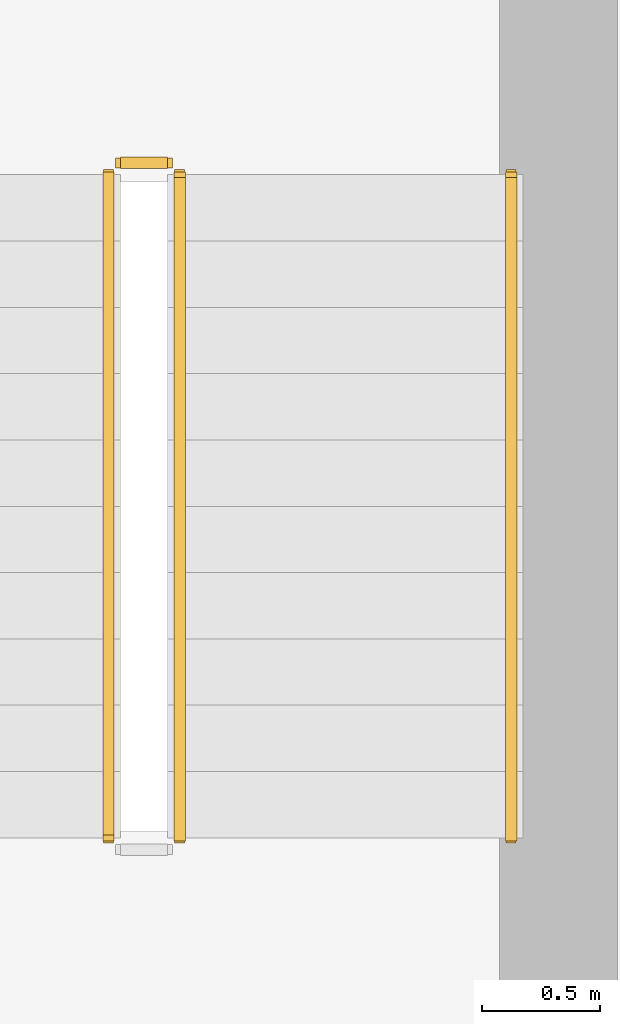
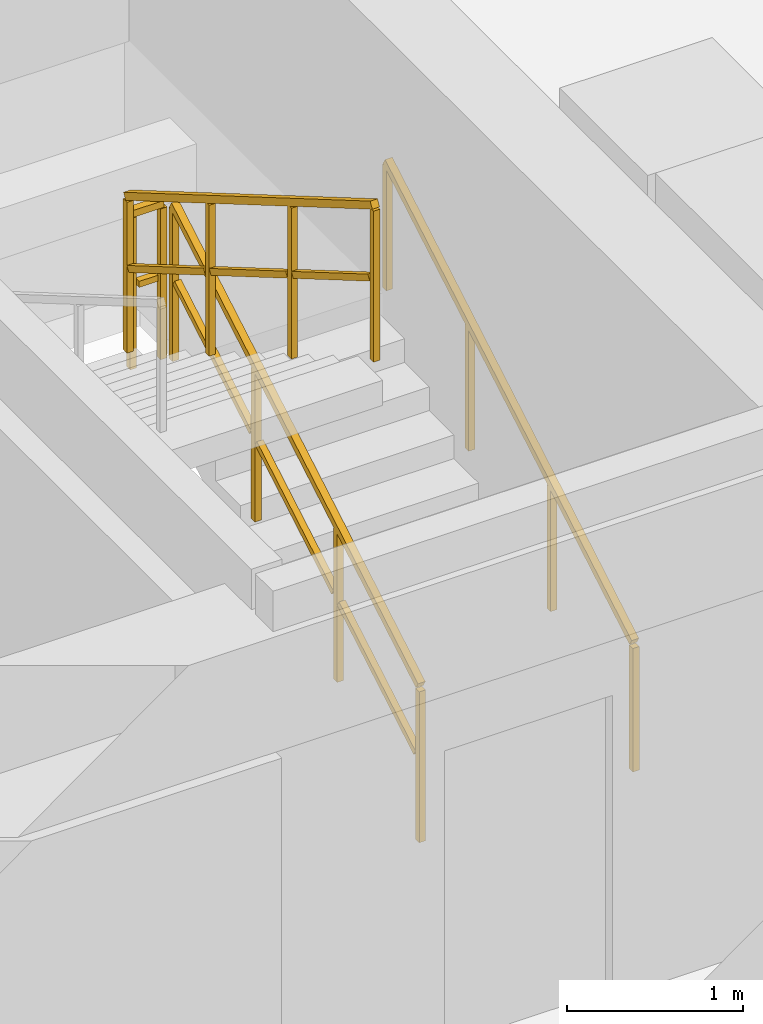
# One storey, part 35 of 35: 4 railings.
"""IFC4 building model written with IfcOpenShell, lengths in metres."""

from ifc_helpers import new_model, si_unit, direction, frame, origin, origin_2d, place, context, subcontext, project, spatial, rectangle, extrude, material, type_object, element, save


model = new_model("IFC4")

# Units and contexts
model_context = context("Model", 3, precision=1e-05, world=origin(), true_north=direction((0.0, 1.0)))
body_context = subcontext(model_context, "Body", "Model", "MODEL_VIEW")
ifc_project = project(units=[si_unit("LENGTHUNIT", "METRE"), si_unit("AREAUNIT", "SQUARE_METRE"), si_unit("VOLUMEUNIT", "CUBIC_METRE"), si_unit("PLANEANGLEUNIT", "RADIAN"), si_unit("MASSUNIT", "GRAM", prefix="KILO")], contexts=[model_context])

# Site, building, storey
site_placement = place(None, origin())
site = spatial("IfcSite", under=ifc_project, at=site_placement, CompositionType="ELEMENT")
building_placement = place(site_placement, origin())
building = spatial("IfcBuilding", under=site, at=building_placement, Name="Thornwick Lancets Civic Towers", CompositionType="ELEMENT")
storey_placement = place(building_placement, frame((0.0, 0.0, 225.89990234375)))
storey = spatial("IfcBuildingStorey", under=building, at=storey_placement, Name="L60", CompositionType="ELEMENT", Elevation=225.89990234375)

# Railings
ifc_material_1 = material(Name="Brushed stainless steel S355", Category="steel")
railing_type_1 = type_object("IfcRailingType", Name="RAIL_HANDRAIL", PredefinedType="HANDRAIL", material=ifc_material_1)
railing_1_placement = place(storey_placement, frame((100.449951171875, 20.89990234375, 0.163818359375)))
element("IfcRailing", 1, at=railing_1_placement, inside=storey, type_object=railing_type_1, Name="L60 ST-B1 stair handrail 1", PredefinedType="HANDRAIL", context=body_context, shape_type="SweptSolid", body=[
    extrude(rectangle(XDim=0.048095703125, YDim=0.048095703125, at=origin_2d()), frame((0.0, 0.0, 0.8857421875), z_axis=(0.0, 0.863393664356, 0.504530851732), x_axis=(-1.0, 0.0, 0.0)), (0.0, 0.0, 1.0), 3.2431640625),
    extrude(rectangle(XDim=0.0419921875, YDim=0.0419921875, at=origin_2d()), origin(), (0.0, 0.0, 1.0), 0.855712890625),
    extrude(rectangle(XDim=0.0419921875, YDim=0.0419921875, at=origin_2d()), frame((0.0, 0.933349609375, 0.54541015625)), (0.0, 0.0, 1.0), 0.855712890625),
    extrude(rectangle(XDim=0.0419921875, YDim=0.0419921875, at=origin_2d()), frame((0.0, 1.86669921875, 1.0908203125)), (0.0, 0.0, 1.0), 0.855712890625),
    extrude(rectangle(XDim=0.0419921875, YDim=0.0419921875, at=origin_2d()), frame((0.0, 2.800048828125, 1.63623046875)), (0.0, 0.0, 1.0), 0.855712890625),
])
ifc_material_2 = material(Name="Steel S355JR", Category="steel")
railing_type_2 = type_object("IfcRailingType", Name="RAIL_STAIR_GUARD", PredefinedType="GUARDRAIL", material=ifc_material_2)
railing_2_placement = place(storey_placement, frame((99.050048828125, 20.89990234375, 0.163818359375)))
element("IfcRailing", 2, at=railing_2_placement, inside=storey, type_object=railing_type_2, Name="L60 ST-B1 stair guard 1", PredefinedType="GUARDRAIL", context=body_context, shape_type="SweptSolid", body=[
    extrude(rectangle(XDim=0.048095703125, YDim=0.048095703125, at=origin_2d()), frame((0.0, 0.0, 1.076171875), z_axis=(0.0, 0.863393664356, 0.504530851732), x_axis=(-1.0, 0.0, 0.0)), (0.0, 0.0, 1.0), 3.2431640625),
    extrude(rectangle(XDim=0.0419921875, YDim=0.0419921875, at=origin_2d()), frame((0.0, 0.032470703125, 0.591064453125), z_axis=(0.0, 0.863393664356, 0.504530851732), x_axis=(-1.0, 0.0, 0.0)), (0.0, 0.0, 1.0), 1.006103515625),
    extrude(rectangle(XDim=0.0419921875, YDim=0.0419921875, at=origin_2d()), frame((0.0, 0.9658203125, 1.136474609375), z_axis=(0.0, 0.863393664356, 0.504530851732), x_axis=(-1.0, 0.0, 0.0)), (0.0, 0.0, 1.0), 1.006103515625),
    extrude(rectangle(XDim=0.0419921875, YDim=0.0419921875, at=origin_2d()), frame((0.0, 1.899169921875, 1.681884765625), z_axis=(0.0, 0.863393664356, 0.504530851732), x_axis=(-1.0, 0.0, 0.0)), (0.0, 0.0, 1.0), 1.006103515625),
    extrude(rectangle(XDim=0.0419921875, YDim=0.0419921875, at=origin_2d()), origin(), (0.0, 0.0, 1.0), 1.0458984375),
    extrude(rectangle(XDim=0.0419921875, YDim=0.0419921875, at=origin_2d()), frame((0.0, 0.933349609375, 0.54541015625)), (0.0, 0.0, 1.0), 1.0458984375),
    extrude(rectangle(XDim=0.0419921875, YDim=0.0419921875, at=origin_2d()), frame((0.0, 1.86669921875, 1.0908203125)), (0.0, 0.0, 1.0), 1.0458984375),
    extrude(rectangle(XDim=0.0419921875, YDim=0.0419921875, at=origin_2d()), frame((0.0, 2.800048828125, 1.63623046875)), (0.0, 0.0, 1.0), 1.0458984375),
])
railing_3_placement = place(storey_placement, frame((99.0, 23.75, 1.800048828125)))
element("IfcRailing", 3, at=railing_3_placement, inside=storey, type_object=railing_type_2, Name="L60 ST-B1 stair guard 2", PredefinedType="GUARDRAIL", context=body_context, shape_type="SweptSolid", body=[
    extrude(rectangle(XDim=0.048095703125, YDim=0.048095703125, at=origin_2d()), frame((0.0, 0.0, 1.076171875), z_axis=(-1.0, 0.0, 0.0), x_axis=(0.0, -1.0, 0.0)), (0.0, 0.0, 1.0), 0.199951171875),
    extrude(rectangle(XDim=0.0419921875, YDim=0.0419921875, at=origin_2d()), frame((-0.03759765625, 0.0, 0.572021484375), z_axis=(-1.0, 0.0, 0.0), x_axis=(0.0, -1.0, 0.0)), (0.0, 0.0, 1.0), 0.125),
    extrude(rectangle(XDim=0.0419921875, YDim=0.0419921875, at=origin_2d()), origin(), (0.0, 0.0, 1.0), 1.0458984375),
    extrude(rectangle(XDim=0.0419921875, YDim=0.0419921875, at=origin_2d()), frame((-0.199951171875, 0.0, 0.0)), (0.0, 0.0, 1.0), 1.0458984375),
])
railing_4_placement = place(storey_placement, frame((98.75, 23.699951171875, 1.963623046875)))
element("IfcRailing", 4, at=railing_4_placement, inside=storey, type_object=railing_type_2, Name="L60 ST-B1 stair guard 3", PredefinedType="GUARDRAIL", context=body_context, shape_type="SweptSolid", body=[
    extrude(rectangle(XDim=0.048095703125, YDim=0.048095703125, at=origin_2d()), frame((0.0, 0.0, 1.076171875), z_axis=(0.0, -0.863360870873, 0.504586966384), x_axis=(1.0, 0.0, 0.0)), (0.0, 0.0, 1.0), 3.2431640625),
    extrude(rectangle(XDim=0.0419921875, YDim=0.0419921875, at=origin_2d()), frame((0.0, -0.032470703125, 0.591064453125), z_axis=(0.0, -0.863360870873, 0.504586966384), x_axis=(1.0, 0.0, 0.0)), (0.0, 0.0, 1.0), 1.006103515625),
    extrude(rectangle(XDim=0.0419921875, YDim=0.0419921875, at=origin_2d()), frame((0.0, -0.9658203125, 1.136474609375), z_axis=(0.0, -0.863360870873, 0.504586966384), x_axis=(1.0, 0.0, 0.0)), (0.0, 0.0, 1.0), 1.006103515625),
    extrude(rectangle(XDim=0.0419921875, YDim=0.0419921875, at=origin_2d()), frame((0.0, -1.899169921875, 1.681884765625), z_axis=(0.0, -0.863360870873, 0.504586966384), x_axis=(1.0, 0.0, 0.0)), (0.0, 0.0, 1.0), 1.006103515625),
    extrude(rectangle(XDim=0.0419921875, YDim=0.0419921875, at=origin_2d()), origin(), (0.0, 0.0, 1.0), 1.0458984375),
    extrude(rectangle(XDim=0.0419921875, YDim=0.0419921875, at=origin_2d()), frame((0.0, -0.933349609375, 0.54541015625)), (0.0, 0.0, 1.0), 1.0458984375),
    extrude(rectangle(XDim=0.0419921875, YDim=0.0419921875, at=origin_2d()), frame((0.0, -1.86669921875, 1.091064453125)), (0.0, 0.0, 1.0), 1.0458984375),
    extrude(rectangle(XDim=0.0419921875, YDim=0.0419921875, at=origin_2d()), frame((0.0, -2.800048828125, 1.636474609375)), (0.0, 0.0, 1.0), 1.0458984375),
])

save(model, "model.ifc")
